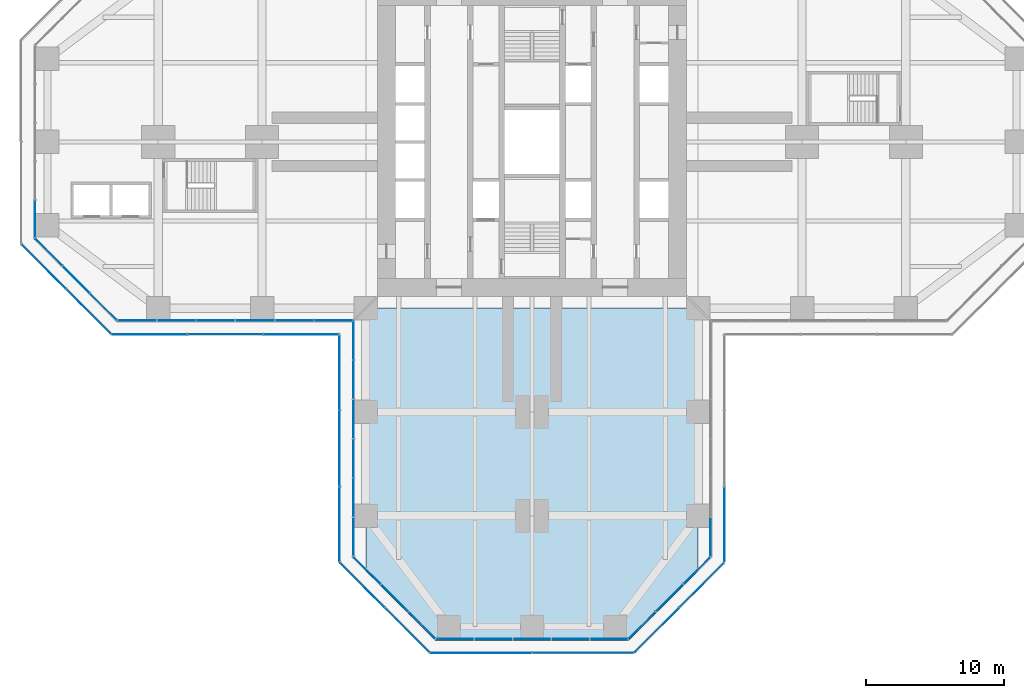
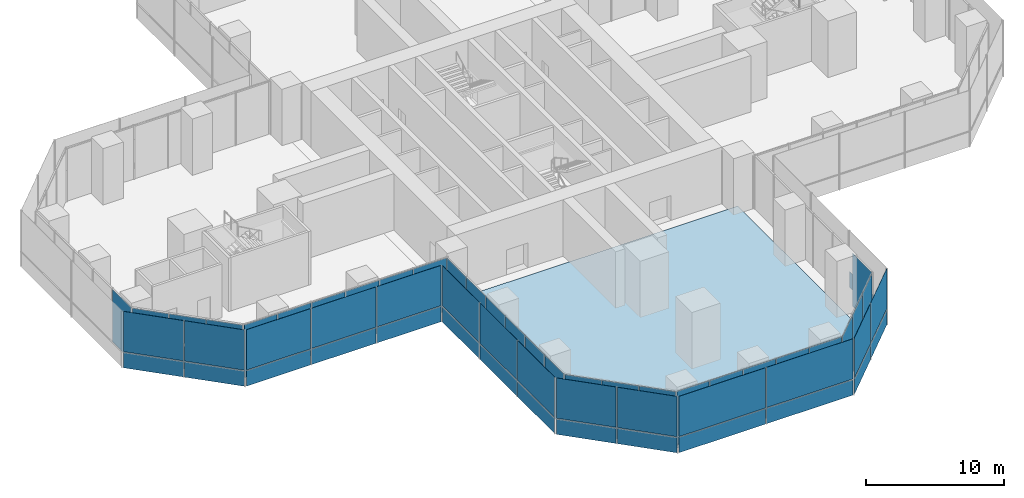
# One storey, part 13 of 23: 57 plates, 1 slab, 15 elements without a shape of their own.
"""IFC4 building model written with IfcOpenShell, lengths in metres."""

from ifc_helpers import new_model, si_unit, direction, frame, origin, origin_2d, place, context, subcontext, project, spatial, polyline, rectangle, outline, extrude, material, layer, layer_set, type_object, element, aggregate, save


model = new_model("IFC4")

# Units and contexts
model_context = context("Model", 3, precision=1e-05, world=origin(), true_north=direction((0.0, 1.0)))
body_context = subcontext(model_context, "Body", "Model", "MODEL_VIEW")
ifc_project = project(units=[si_unit("LENGTHUNIT", "METRE"), si_unit("AREAUNIT", "SQUARE_METRE"), si_unit("VOLUMEUNIT", "CUBIC_METRE"), si_unit("PLANEANGLEUNIT", "RADIAN"), si_unit("MASSUNIT", "GRAM", prefix="KILO")], contexts=[model_context])

# Site, building, storey
site_placement = place(None, origin())
site = spatial("IfcSite", under=ifc_project, at=site_placement, CompositionType="ELEMENT")
building_placement = place(site_placement, origin())
building = spatial("IfcBuilding", under=site, at=building_placement, Name="Mizan Broadcast Tower", CompositionType="ELEMENT")
storey_placement = place(building_placement, frame((0.0, 0.0, 28.0)))
storey = spatial("IfcBuildingStorey", under=building, at=storey_placement, Name="L04", CompositionType="ELEMENT", Elevation=28.0)

# Curtain wall, plates
ifc_material_1 = material(Name="Aluminium framed glazing", Category="aluminium")
curtain_wall_type_1 = type_object("IfcCurtainWallType", Name="OUTER SKIN", PredefinedType="USERDEFINED", material=ifc_material_1)
curtain_wall_1_placement = place(storey_placement, origin())
curtain_wall_1 = element("IfcCurtainWall", 1, at=curtain_wall_1_placement, inside=storey, type_object=curtain_wall_type_1, Name="Outer skin L04 W chamfer", ObjectType="OUTER SKIN", PredefinedType="USERDEFINED")
ifc_material_2 = material(Name="Laminated clear glass", Category="glass")
ifc_layer_1 = layer(ifc_material_2, 0.02001953125)
ifc_layer_set_1 = layer_set([ifc_layer_1], Name="Laminated clear glass")
plate_type_1 = type_object("IfcPlateType", Name="OUTER SKIN CLEAR GLASS", PredefinedType="CURTAIN_PANEL", material=ifc_layer_set_1)
plate_1_placement = place(storey_placement, frame((-35.254150390625, -9.018798828125, 0.0), z_axis=(0.0, 0.0, 1.0), x_axis=(0.707106781187, -0.707106781187, 0.0)))
plate_1 = element("IfcPlate", 2, at=plate_1_placement, type_object=plate_type_1, Name="Outer skin L04 W chamfer panel 1.1", PredefinedType="CURTAIN_PANEL", context=body_context, shape_type="SweptSolid", body=[
    extrude(rectangle(XDim=4.495361328125, YDim=0.02001953125, at=origin_2d()), origin(), (0.0, 0.0, 1.0), 1.3701171875),
])
plate_2_placement = place(storey_placement, frame((-35.254150390625, -9.018798828125, 1.43017578125), z_axis=(0.0, 0.0, 1.0), x_axis=(0.707106781187, -0.707106781187, 0.0)))
plate_2 = element("IfcPlate", 3, at=plate_2_placement, type_object=plate_type_1, Name="Outer skin L04 W chamfer panel 1.2", PredefinedType="CURTAIN_PANEL", context=body_context, shape_type="SweptSolid", body=[
    extrude(rectangle(XDim=4.495361328125, YDim=0.02001953125, at=origin_2d()), origin(), (0.0, 0.0, 1.0), 3.570068359375),
])

curtain_wall_2_placement = place(storey_placement, origin())
curtain_wall_2 = element("IfcCurtainWall", 4, at=curtain_wall_2_placement, inside=storey, type_object=curtain_wall_type_1, Name="Outer skin L04 W side", ObjectType="OUTER SKIN", PredefinedType="USERDEFINED")
plate_3_placement = place(storey_placement, frame((-27.607421875, -13.89990234375, 0.0), z_axis=(0.0, 0.0, 1.0), x_axis=(1.0, 0.0, 0.0)))
plate_3 = element("IfcPlate", 5, at=plate_3_placement, type_object=plate_type_1, Name="Outer skin L04 W side panel 1.1", PredefinedType="CURTAIN_PANEL", context=body_context, shape_type="SweptSolid", body=[
    extrude(rectangle(XDim=5.370849609375, YDim=0.02001953125, at=origin_2d()), origin(), (0.0, 0.0, 1.0), 1.3701171875),
])
plate_4_placement = place(storey_placement, frame((-27.607421875, -13.89990234375, 1.43017578125), z_axis=(0.0, 0.0, 1.0), x_axis=(1.0, 0.0, 0.0)))
plate_4 = element("IfcPlate", 6, at=plate_4_placement, type_object=plate_type_1, Name="Outer skin L04 W side panel 1.2", PredefinedType="CURTAIN_PANEL", context=body_context, shape_type="SweptSolid", body=[
    extrude(rectangle(XDim=5.370849609375, YDim=0.02001953125, at=origin_2d()), origin(), (0.0, 0.0, 1.0), 3.570068359375),
])
plate_5_placement = place(storey_placement, frame((-16.66552734375, -13.89990234375, 0.0), z_axis=(0.0, 0.0, 1.0), x_axis=(1.0, 0.0, 0.0)))
plate_5 = element("IfcPlate", 7, at=plate_5_placement, type_object=plate_type_1, Name="Outer skin L04 W side panel 3.1", PredefinedType="CURTAIN_PANEL", context=body_context, shape_type="SweptSolid", body=[
    extrude(rectangle(XDim=5.370849609375, YDim=0.02001953125, at=origin_2d()), origin(), (0.0, 0.0, 1.0), 1.3701171875),
])
plate_6_placement = place(storey_placement, frame((-16.66552734375, -13.89990234375, 1.43017578125), z_axis=(0.0, 0.0, 1.0), x_axis=(1.0, 0.0, 0.0)))
plate_6 = element("IfcPlate", 8, at=plate_6_placement, type_object=plate_type_1, Name="Outer skin L04 W side panel 3.2", PredefinedType="CURTAIN_PANEL", context=body_context, shape_type="SweptSolid", body=[
    extrude(rectangle(XDim=5.370849609375, YDim=0.02001953125, at=origin_2d()), origin(), (0.0, 0.0, 1.0), 3.570068359375),
])

curtain_wall_3_placement = place(storey_placement, origin())
curtain_wall_3 = element("IfcCurtainWall", 9, at=curtain_wall_3_placement, inside=storey, type_object=curtain_wall_type_1, Name="Outer skin L04 S side", ObjectType="OUTER SKIN", PredefinedType="USERDEFINED")
plate_7_placement = place(storey_placement, frame((-13.89990234375, -16.66552734375, 0.0), z_axis=(0.0, 0.0, 1.0), x_axis=(0.0, -1.0, 0.0)))
plate_7 = element("IfcPlate", 10, at=plate_7_placement, type_object=plate_type_1, Name="Outer skin L04 S side panel 1.1", PredefinedType="CURTAIN_PANEL", context=body_context, shape_type="SweptSolid", body=[
    extrude(rectangle(XDim=5.370849609375, YDim=0.02001953125, at=origin_2d()), origin(), (0.0, 0.0, 1.0), 1.3701171875),
])
plate_8_placement = place(storey_placement, frame((-13.89990234375, -16.66552734375, 1.43017578125), z_axis=(0.0, 0.0, 1.0), x_axis=(0.0, -1.0, 0.0)))
plate_8 = element("IfcPlate", 11, at=plate_8_placement, type_object=plate_type_1, Name="Outer skin L04 S side panel 1.2", PredefinedType="CURTAIN_PANEL", context=body_context, shape_type="SweptSolid", body=[
    extrude(rectangle(XDim=5.370849609375, YDim=0.02001953125, at=origin_2d()), origin(), (0.0, 0.0, 1.0), 3.570068359375),
])
plate_9_placement = place(storey_placement, frame((-13.89990234375, -27.607421875, 0.0), z_axis=(0.0, 0.0, 1.0), x_axis=(0.0, -1.0, 0.0)))
plate_9 = element("IfcPlate", 12, at=plate_9_placement, type_object=plate_type_1, Name="Outer skin L04 S side panel 3.1", PredefinedType="CURTAIN_PANEL", context=body_context, shape_type="SweptSolid", body=[
    extrude(rectangle(XDim=5.370849609375, YDim=0.02001953125, at=origin_2d()), origin(), (0.0, 0.0, 1.0), 1.3701171875),
])
plate_10_placement = place(storey_placement, frame((-13.89990234375, -27.607421875, 1.43017578125), z_axis=(0.0, 0.0, 1.0), x_axis=(0.0, -1.0, 0.0)))
plate_10 = element("IfcPlate", 13, at=plate_10_placement, type_object=plate_type_1, Name="Outer skin L04 S side panel 3.2", PredefinedType="CURTAIN_PANEL", context=body_context, shape_type="SweptSolid", body=[
    extrude(rectangle(XDim=5.370849609375, YDim=0.02001953125, at=origin_2d()), origin(), (0.0, 0.0, 1.0), 3.570068359375),
])

curtain_wall_4_placement = place(storey_placement, origin())
curtain_wall_4 = element("IfcCurtainWall", 14, at=curtain_wall_4_placement, inside=storey, type_object=curtain_wall_type_1, Name="Outer skin L04 S chamfer", ObjectType="OUTER SKIN", PredefinedType="USERDEFINED")
plate_11_placement = place(storey_placement, frame((-12.254150390625, -32.018798828125, 0.0), z_axis=(0.0, 0.0, 1.0), x_axis=(0.707106781187, -0.707106781187, 0.0)))
plate_11 = element("IfcPlate", 15, at=plate_11_placement, type_object=plate_type_1, Name="Outer skin L04 S chamfer panel 1.1", PredefinedType="CURTAIN_PANEL", context=body_context, shape_type="SweptSolid", body=[
    extrude(rectangle(XDim=4.495361328125, YDim=0.02001953125, at=origin_2d()), origin(), (0.0, 0.0, 1.0), 1.3701171875),
])
plate_12_placement = place(storey_placement, frame((-12.254150390625, -32.018798828125, 1.43017578125), z_axis=(0.0, 0.0, 1.0), x_axis=(0.707106781187, -0.707106781187, 0.0)))
plate_12 = element("IfcPlate", 16, at=plate_12_placement, type_object=plate_type_1, Name="Outer skin L04 S chamfer panel 1.2", PredefinedType="CURTAIN_PANEL", context=body_context, shape_type="SweptSolid", body=[
    extrude(rectangle(XDim=4.495361328125, YDim=0.02001953125, at=origin_2d()), origin(), (0.0, 0.0, 1.0), 3.570068359375),
])

curtain_wall_5_placement = place(storey_placement, origin())
curtain_wall_5 = element("IfcCurtainWall", 17, at=curtain_wall_5_placement, inside=storey, type_object=curtain_wall_type_1, Name="Outer skin L04 S end", ObjectType="OUTER SKIN", PredefinedType="USERDEFINED")
plate_13_placement = place(storey_placement, frame((-3.66650390625, -36.89990234375, 0.0), z_axis=(0.0, 0.0, 1.0), x_axis=(1.0, 0.0, 0.0)))
plate_13 = element("IfcPlate", 18, at=plate_13_placement, type_object=plate_type_1, Name="Outer skin L04 S end panel 1.1", PredefinedType="CURTAIN_PANEL", context=body_context, shape_type="SweptSolid", body=[
    extrude(rectangle(XDim=7.252685546875, YDim=0.02001953125, at=origin_2d()), origin(), (0.0, 0.0, 1.0), 1.3701171875),
])
plate_14_placement = place(storey_placement, frame((-3.66650390625, -36.89990234375, 1.43017578125), z_axis=(0.0, 0.0, 1.0), x_axis=(1.0, 0.0, 0.0)))
plate_14 = element("IfcPlate", 19, at=plate_14_placement, type_object=plate_type_1, Name="Outer skin L04 S end panel 1.2", PredefinedType="CURTAIN_PANEL", context=body_context, shape_type="SweptSolid", body=[
    extrude(rectangle(XDim=7.252685546875, YDim=0.02001953125, at=origin_2d()), origin(), (0.0, 0.0, 1.0), 3.570068359375),
])

curtain_wall_6_placement = place(storey_placement, origin())
curtain_wall_6 = element("IfcCurtainWall", 20, at=curtain_wall_6_placement, inside=storey, type_object=curtain_wall_type_1, Name="Outer skin L04 S chamfer", ObjectType="OUTER SKIN", PredefinedType="USERDEFINED")
plate_15_placement = place(storey_placement, frame((9.018798828125, -35.254150390625, 0.0), z_axis=(0.0, 0.0, 1.0), x_axis=(0.707106781187, 0.707106781187, 0.0)))
plate_15 = element("IfcPlate", 21, at=plate_15_placement, type_object=plate_type_1, Name="Outer skin L04 S chamfer panel 1.1", PredefinedType="CURTAIN_PANEL", context=body_context, shape_type="SweptSolid", body=[
    extrude(rectangle(XDim=4.495361328125, YDim=0.02001953125, at=origin_2d()), origin(), (0.0, 0.0, 1.0), 1.3701171875),
])
plate_16_placement = place(storey_placement, frame((9.018798828125, -35.254150390625, 1.43017578125), z_axis=(0.0, 0.0, 1.0), x_axis=(0.707106781187, 0.707106781187, 0.0)))
plate_16 = element("IfcPlate", 22, at=plate_16_placement, type_object=plate_type_1, Name="Outer skin L04 S chamfer panel 1.2", PredefinedType="CURTAIN_PANEL", context=body_context, shape_type="SweptSolid", body=[
    extrude(rectangle(XDim=4.495361328125, YDim=0.02001953125, at=origin_2d()), origin(), (0.0, 0.0, 1.0), 3.570068359375),
])

# Curtain wall, plate
curtain_wall_7_placement = place(storey_placement, origin())
curtain_wall_7 = element("IfcCurtainWall", 23, at=curtain_wall_7_placement, inside=storey, type_object=curtain_wall_type_1, Name="Outer skin L04 S side", ObjectType="OUTER SKIN", PredefinedType="USERDEFINED")
plate_17_placement = place(storey_placement, frame((13.89990234375, -27.607421875, 0.0), z_axis=(0.0, 0.0, 1.0), x_axis=(0.0, 1.0, 0.0)))
plate_17 = element("IfcPlate", 24, at=plate_17_placement, type_object=plate_type_1, Name="Outer skin L04 S side panel 1.1", PredefinedType="CURTAIN_PANEL", context=body_context, shape_type="SweptSolid", body=[
    extrude(rectangle(XDim=5.370849609375, YDim=0.02001953125, at=origin_2d()), origin(), (0.0, 0.0, 1.0), 1.3701171875),
])
aggregate(curtain_wall_7, [plate_17])

# Plate
ifc_material_3 = material(Name="Perforated aluminium, pale anodised", Category="aluminium")
ifc_layer_2 = layer(ifc_material_3, 0.011962890625)
ifc_layer_set_2 = layer_set([ifc_layer_2], Name="Perforated aluminium, pale anodised")
plate_type_2 = type_object("IfcPlateType", Name="OUTER SKIN PERFORATED SCREEN", PredefinedType="USERDEFINED", material=ifc_layer_set_2)
plate_18_placement = place(storey_placement, frame((-32.018798828125, -12.254150390625, 0.0), z_axis=(0.0, 0.0, 1.0), x_axis=(0.707106781187, -0.707106781187, 0.0)))
plate_18 = element("IfcPlate", 25, at=plate_18_placement, type_object=plate_type_2, Name="Outer skin L04 W chamfer panel 2.1", ObjectType="SCREEN", PredefinedType="USERDEFINED", context=body_context, shape_type="SweptSolid", body=[
    extrude(rectangle(XDim=4.495361328125, YDim=0.011962890625, at=origin_2d()), origin(), (0.0, 0.0, 1.0), 1.3701171875),
])

plate_19_placement = place(storey_placement, frame((-32.018798828125, -12.254150390625, 1.43017578125), z_axis=(0.0, 0.0, 1.0), x_axis=(0.707106781187, -0.707106781187, 0.0)))
plate_19 = element("IfcPlate", 26, at=plate_19_placement, type_object=plate_type_2, Name="Outer skin L04 W chamfer panel 2.2", ObjectType="SCREEN", PredefinedType="USERDEFINED", context=body_context, shape_type="SweptSolid", body=[
    extrude(rectangle(XDim=4.495361328125, YDim=0.011962890625, at=origin_2d()), origin(), (0.0, 0.0, 1.0), 3.570068359375),
])

aggregate(curtain_wall_1, [plate_1, plate_2, plate_18, plate_19])

plate_20_placement = place(storey_placement, frame((-22.136474609375, -13.89990234375, 0.0), z_axis=(0.0, 0.0, 1.0), x_axis=(1.0, 0.0, 0.0)))
plate_20 = element("IfcPlate", 27, at=plate_20_placement, type_object=plate_type_2, Name="Outer skin L04 W side panel 2.1", ObjectType="SCREEN", PredefinedType="USERDEFINED", context=body_context, shape_type="SweptSolid", body=[
    extrude(rectangle(XDim=5.410888671875, YDim=0.011962890625, at=origin_2d()), origin(), (0.0, 0.0, 1.0), 1.3701171875),
])

plate_21_placement = place(storey_placement, frame((-22.136474609375, -13.89990234375, 1.43017578125), z_axis=(0.0, 0.0, 1.0), x_axis=(1.0, 0.0, 0.0)))
plate_21 = element("IfcPlate", 28, at=plate_21_placement, type_object=plate_type_2, Name="Outer skin L04 W side panel 2.2", ObjectType="SCREEN", PredefinedType="USERDEFINED", context=body_context, shape_type="SweptSolid", body=[
    extrude(rectangle(XDim=5.410888671875, YDim=0.011962890625, at=origin_2d()), origin(), (0.0, 0.0, 1.0), 3.570068359375),
])

aggregate(curtain_wall_2, [plate_3, plate_4, plate_20, plate_21, plate_5, plate_6])

plate_22_placement = place(storey_placement, frame((-13.89990234375, -22.136474609375, 0.0), z_axis=(0.0, 0.0, 1.0), x_axis=(0.0, -1.0, 0.0)))
plate_22 = element("IfcPlate", 29, at=plate_22_placement, type_object=plate_type_2, Name="Outer skin L04 S side panel 2.1", ObjectType="SCREEN", PredefinedType="USERDEFINED", context=body_context, shape_type="SweptSolid", body=[
    extrude(rectangle(XDim=5.410888671875, YDim=0.011962890625, at=origin_2d()), origin(), (0.0, 0.0, 1.0), 1.3701171875),
])

plate_23_placement = place(storey_placement, frame((-13.89990234375, -22.136474609375, 1.43017578125), z_axis=(0.0, 0.0, 1.0), x_axis=(0.0, -1.0, 0.0)))
plate_23 = element("IfcPlate", 30, at=plate_23_placement, type_object=plate_type_2, Name="Outer skin L04 S side panel 2.2", ObjectType="SCREEN", PredefinedType="USERDEFINED", context=body_context, shape_type="SweptSolid", body=[
    extrude(rectangle(XDim=5.410888671875, YDim=0.011962890625, at=origin_2d()), origin(), (0.0, 0.0, 1.0), 3.570068359375),
])

aggregate(curtain_wall_3, [plate_7, plate_8, plate_22, plate_23, plate_9, plate_10])

plate_24_placement = place(storey_placement, frame((-9.018798828125, -35.254150390625, 0.0), z_axis=(0.0, 0.0, 1.0), x_axis=(0.707106781187, -0.707106781187, 0.0)))
plate_24 = element("IfcPlate", 31, at=plate_24_placement, type_object=plate_type_2, Name="Outer skin L04 S chamfer panel 2.1", ObjectType="SCREEN", PredefinedType="USERDEFINED", context=body_context, shape_type="SweptSolid", body=[
    extrude(rectangle(XDim=4.495361328125, YDim=0.011962890625, at=origin_2d()), origin(), (0.0, 0.0, 1.0), 1.3701171875),
])

plate_25_placement = place(storey_placement, frame((-9.018798828125, -35.254150390625, 1.43017578125), z_axis=(0.0, 0.0, 1.0), x_axis=(0.707106781187, -0.707106781187, 0.0)))
plate_25 = element("IfcPlate", 32, at=plate_25_placement, type_object=plate_type_2, Name="Outer skin L04 S chamfer panel 2.2", ObjectType="SCREEN", PredefinedType="USERDEFINED", context=body_context, shape_type="SweptSolid", body=[
    extrude(rectangle(XDim=4.495361328125, YDim=0.011962890625, at=origin_2d()), origin(), (0.0, 0.0, 1.0), 3.570068359375),
])

aggregate(curtain_wall_4, [plate_11, plate_12, plate_24, plate_25])

plate_26_placement = place(storey_placement, frame((3.66650390625, -36.89990234375, 0.0), z_axis=(0.0, 0.0, 1.0), x_axis=(1.0, 0.0, 0.0)))
plate_26 = element("IfcPlate", 33, at=plate_26_placement, type_object=plate_type_2, Name="Outer skin L04 S end panel 2.1", ObjectType="SCREEN", PredefinedType="USERDEFINED", context=body_context, shape_type="SweptSolid", body=[
    extrude(rectangle(XDim=7.252685546875, YDim=0.011962890625, at=origin_2d()), origin(), (0.0, 0.0, 1.0), 1.3701171875),
])

plate_27_placement = place(storey_placement, frame((3.66650390625, -36.89990234375, 1.43017578125), z_axis=(0.0, 0.0, 1.0), x_axis=(1.0, 0.0, 0.0)))
plate_27 = element("IfcPlate", 34, at=plate_27_placement, type_object=plate_type_2, Name="Outer skin L04 S end panel 2.2", ObjectType="SCREEN", PredefinedType="USERDEFINED", context=body_context, shape_type="SweptSolid", body=[
    extrude(rectangle(XDim=7.252685546875, YDim=0.011962890625, at=origin_2d()), origin(), (0.0, 0.0, 1.0), 3.570068359375),
])

aggregate(curtain_wall_5, [plate_13, plate_14, plate_26, plate_27])

plate_28_placement = place(storey_placement, frame((12.254150390625, -32.018798828125, 0.0), z_axis=(0.0, 0.0, 1.0), x_axis=(0.707106781187, 0.707106781187, 0.0)))
plate_28 = element("IfcPlate", 35, at=plate_28_placement, type_object=plate_type_2, Name="Outer skin L04 S chamfer panel 2.1", ObjectType="SCREEN", PredefinedType="USERDEFINED", context=body_context, shape_type="SweptSolid", body=[
    extrude(rectangle(XDim=4.495361328125, YDim=0.011962890625, at=origin_2d()), origin(), (0.0, 0.0, 1.0), 1.3701171875),
])

plate_29_placement = place(storey_placement, frame((12.254150390625, -32.018798828125, 1.43017578125), z_axis=(0.0, 0.0, 1.0), x_axis=(0.707106781187, 0.707106781187, 0.0)))
plate_29 = element("IfcPlate", 36, at=plate_29_placement, type_object=plate_type_2, Name="Outer skin L04 S chamfer panel 2.2", ObjectType="SCREEN", PredefinedType="USERDEFINED", context=body_context, shape_type="SweptSolid", body=[
    extrude(rectangle(XDim=4.495361328125, YDim=0.011962890625, at=origin_2d()), origin(), (0.0, 0.0, 1.0), 3.570068359375),
])

aggregate(curtain_wall_6, [plate_15, plate_16, plate_28, plate_29])

# Curtain wall, plate
ifc_material_4 = material(Name="Aluminium framed glazing", Category="aluminium")
curtain_wall_type_2 = type_object("IfcCurtainWallType", Name="PODIUM CURTAIN WALL", PredefinedType="USERDEFINED", material=ifc_material_4)
curtain_wall_8_placement = place(storey_placement, origin())
curtain_wall_8 = element("IfcCurtainWall", 37, at=curtain_wall_8_placement, inside=storey, type_object=curtain_wall_type_2, Name="Podium curtain wall L04 W end", ObjectType="PODIUM CURTAIN WALL", PredefinedType="USERDEFINED")
ifc_material_5 = material(Name="Double glazing, clear laminated", Category="glass")
ifc_layer_3 = layer(ifc_material_5, 0.031982421875)
ifc_layer_set_3 = layer_set([ifc_layer_3], Name="Double glazing, clear laminated")
plate_type_3 = type_object("IfcPlateType", Name="PODIUM GLAZING UNIT", PredefinedType="CURTAIN_PANEL", material=ifc_layer_set_3)
plate_30_placement = place(storey_placement, frame((-35.89990234375, -5.5517578125, 0.0), z_axis=(0.0, 0.0, 1.0), x_axis=(0.0, -1.0, 0.0)))
plate_30 = element("IfcPlate", 38, at=plate_30_placement, type_object=plate_type_3, Name="Podium curtain wall L04 W end panel 5.1", PredefinedType="CURTAIN_PANEL", context=body_context, shape_type="SweptSolid", body=[
    extrude(rectangle(XDim=2.693359375, YDim=0.031982421875, at=origin_2d()), origin(), (0.0, 0.0, 1.0), 4.68994140625),
])
aggregate(curtain_wall_8, [plate_30])

# Curtain wall, plates
curtain_wall_9_placement = place(storey_placement, origin())
curtain_wall_9 = element("IfcCurtainWall", 39, at=curtain_wall_9_placement, inside=storey, type_object=curtain_wall_type_2, Name="Podium curtain wall L04 W chamfer", ObjectType="PODIUM CURTAIN WALL", PredefinedType="USERDEFINED")
plate_31_placement = place(storey_placement, frame((-34.899169921875, -7.95947265625, 0.0), z_axis=(0.0, 0.0, 1.0), x_axis=(0.707106781187, -0.707106781187, 0.0)))
plate_31 = element("IfcPlate", 40, at=plate_31_placement, type_object=plate_type_3, Name="Podium curtain wall L04 W chamfer panel 1.1", PredefinedType="CURTAIN_PANEL", context=body_context, shape_type="SweptSolid", body=[
    extrude(rectangle(XDim=2.710693359375, YDim=0.031982421875, at=origin_2d()), origin(), (0.0, 0.0, 1.0), 4.68994140625),
])
plate_32_placement = place(storey_placement, frame((-32.92919921875, -9.92919921875, 0.0), z_axis=(0.0, 0.0, 1.0), x_axis=(0.707106781187, -0.707106781187, 0.0)))
plate_32 = element("IfcPlate", 41, at=plate_32_placement, type_object=plate_type_3, Name="Podium curtain wall L04 W chamfer panel 2.1", PredefinedType="CURTAIN_PANEL", context=body_context, shape_type="SweptSolid", body=[
    extrude(rectangle(XDim=2.74072265625, YDim=0.031982421875, at=origin_2d()), origin(), (0.0, 0.0, 1.0), 4.68994140625),
])
plate_33_placement = place(storey_placement, frame((-30.95947265625, -11.899169921875, 0.0), z_axis=(0.0, 0.0, 1.0), x_axis=(0.707106781187, -0.707106781187, 0.0)))
plate_33 = element("IfcPlate", 42, at=plate_33_placement, type_object=plate_type_3, Name="Podium curtain wall L04 W chamfer panel 3.1", PredefinedType="CURTAIN_PANEL", context=body_context, shape_type="SweptSolid", body=[
    extrude(rectangle(XDim=2.710693359375, YDim=0.031982421875, at=origin_2d()), origin(), (0.0, 0.0, 1.0), 4.68994140625),
])
aggregate(curtain_wall_9, [plate_31, plate_32, plate_33])

curtain_wall_10_placement = place(storey_placement, origin())
curtain_wall_10 = element("IfcCurtainWall", 43, at=curtain_wall_10_placement, inside=storey, type_object=curtain_wall_type_2, Name="Podium curtain wall L04 W side", ObjectType="PODIUM CURTAIN WALL", PredefinedType="USERDEFINED")
plate_34_placement = place(storey_placement, frame((-28.52197265625, -12.89990234375, 0.0), z_axis=(0.0, 0.0, 1.0), x_axis=(1.0, 0.0, 0.0)))
plate_34 = element("IfcPlate", 44, at=plate_34_placement, type_object=plate_type_3, Name="Podium curtain wall L04 W side panel 1.1", PredefinedType="CURTAIN_PANEL", context=body_context, shape_type="SweptSolid", body=[
    extrude(rectangle(XDim=2.753173828125, YDim=0.031982421875, at=origin_2d()), origin(), (0.0, 0.0, 1.0), 4.68994140625),
])
plate_35_placement = place(storey_placement, frame((-25.69384765625, -12.89990234375, 0.0), z_axis=(0.0, 0.0, 1.0), x_axis=(1.0, 0.0, 0.0)))
plate_35 = element("IfcPlate", 45, at=plate_35_placement, type_object=plate_type_3, Name="Podium curtain wall L04 W side panel 2.1", PredefinedType="CURTAIN_PANEL", context=body_context, shape_type="SweptSolid", body=[
    extrude(rectangle(XDim=2.783203125, YDim=0.031982421875, at=origin_2d()), origin(), (0.0, 0.0, 1.0), 4.68994140625),
])
plate_36_placement = place(storey_placement, frame((-22.850830078125, -12.89990234375, 0.0), z_axis=(0.0, 0.0, 1.0), x_axis=(1.0, 0.0, 0.0)))
plate_36 = element("IfcPlate", 46, at=plate_36_placement, type_object=plate_type_3, Name="Podium curtain wall L04 W side panel 3.1", PredefinedType="CURTAIN_PANEL", context=body_context, shape_type="SweptSolid", body=[
    extrude(rectangle(XDim=2.783203125, YDim=0.031982421875, at=origin_2d()), origin(), (0.0, 0.0, 1.0), 4.68994140625),
])
plate_37_placement = place(storey_placement, frame((-20.0078125, -12.89990234375, 0.0), z_axis=(0.0, 0.0, 1.0), x_axis=(1.0, 0.0, 0.0)))
plate_37 = element("IfcPlate", 47, at=plate_37_placement, type_object=plate_type_3, Name="Podium curtain wall L04 W side panel 4.1", PredefinedType="CURTAIN_PANEL", context=body_context, shape_type="SweptSolid", body=[
    extrude(rectangle(XDim=2.783203125, YDim=0.031982421875, at=origin_2d()), origin(), (0.0, 0.0, 1.0), 4.68994140625),
])
plate_38_placement = place(storey_placement, frame((-17.16455078125, -12.89990234375, 0.0), z_axis=(0.0, 0.0, 1.0), x_axis=(1.0, 0.0, 0.0)))
plate_38 = element("IfcPlate", 48, at=plate_38_placement, type_object=plate_type_3, Name="Podium curtain wall L04 W side panel 5.1", PredefinedType="CURTAIN_PANEL", context=body_context, shape_type="SweptSolid", body=[
    extrude(rectangle(XDim=2.783203125, YDim=0.031982421875, at=origin_2d()), origin(), (0.0, 0.0, 1.0), 4.68994140625),
])
plate_39_placement = place(storey_placement, frame((-14.336669921875, -12.89990234375, 0.0), z_axis=(0.0, 0.0, 1.0), x_axis=(1.0, 0.0, 0.0)))
plate_39 = element("IfcPlate", 49, at=plate_39_placement, type_object=plate_type_3, Name="Podium curtain wall L04 W side panel 6.1", PredefinedType="CURTAIN_PANEL", context=body_context, shape_type="SweptSolid", body=[
    extrude(rectangle(XDim=2.753173828125, YDim=0.031982421875, at=origin_2d()), origin(), (0.0, 0.0, 1.0), 4.68994140625),
])
aggregate(curtain_wall_10, [plate_34, plate_35, plate_36, plate_37, plate_38, plate_39])

curtain_wall_11_placement = place(storey_placement, origin())
curtain_wall_11 = element("IfcCurtainWall", 50, at=curtain_wall_11_placement, inside=storey, type_object=curtain_wall_type_2, Name="Podium curtain wall L04 S side", ObjectType="PODIUM CURTAIN WALL", PredefinedType="USERDEFINED")
plate_40_placement = place(storey_placement, frame((-12.89990234375, -14.336669921875, 0.0), z_axis=(0.0, 0.0, 1.0), x_axis=(0.0, -1.0, 0.0)))
plate_40 = element("IfcPlate", 51, at=plate_40_placement, type_object=plate_type_3, Name="Podium curtain wall L04 S side panel 1.1", PredefinedType="CURTAIN_PANEL", context=body_context, shape_type="SweptSolid", body=[
    extrude(rectangle(XDim=2.753173828125, YDim=0.031982421875, at=origin_2d()), origin(), (0.0, 0.0, 1.0), 4.68994140625),
])
plate_41_placement = place(storey_placement, frame((-12.89990234375, -17.16455078125, 0.0), z_axis=(0.0, 0.0, 1.0), x_axis=(0.0, -1.0, 0.0)))
plate_41 = element("IfcPlate", 52, at=plate_41_placement, type_object=plate_type_3, Name="Podium curtain wall L04 S side panel 2.1", PredefinedType="CURTAIN_PANEL", context=body_context, shape_type="SweptSolid", body=[
    extrude(rectangle(XDim=2.783203125, YDim=0.031982421875, at=origin_2d()), origin(), (0.0, 0.0, 1.0), 4.68994140625),
])
plate_42_placement = place(storey_placement, frame((-12.89990234375, -20.0078125, 0.0), z_axis=(0.0, 0.0, 1.0), x_axis=(0.0, -1.0, 0.0)))
plate_42 = element("IfcPlate", 53, at=plate_42_placement, type_object=plate_type_3, Name="Podium curtain wall L04 S side panel 3.1", PredefinedType="CURTAIN_PANEL", context=body_context, shape_type="SweptSolid", body=[
    extrude(rectangle(XDim=2.783203125, YDim=0.031982421875, at=origin_2d()), origin(), (0.0, 0.0, 1.0), 4.68994140625),
])
plate_43_placement = place(storey_placement, frame((-12.89990234375, -22.850830078125, 0.0), z_axis=(0.0, 0.0, 1.0), x_axis=(0.0, -1.0, 0.0)))
plate_43 = element("IfcPlate", 54, at=plate_43_placement, type_object=plate_type_3, Name="Podium curtain wall L04 S side panel 4.1", PredefinedType="CURTAIN_PANEL", context=body_context, shape_type="SweptSolid", body=[
    extrude(rectangle(XDim=2.783203125, YDim=0.031982421875, at=origin_2d()), origin(), (0.0, 0.0, 1.0), 4.68994140625),
])
plate_44_placement = place(storey_placement, frame((-12.89990234375, -25.69384765625, 0.0), z_axis=(0.0, 0.0, 1.0), x_axis=(0.0, -1.0, 0.0)))
plate_44 = element("IfcPlate", 55, at=plate_44_placement, type_object=plate_type_3, Name="Podium curtain wall L04 S side panel 5.1", PredefinedType="CURTAIN_PANEL", context=body_context, shape_type="SweptSolid", body=[
    extrude(rectangle(XDim=2.783203125, YDim=0.031982421875, at=origin_2d()), origin(), (0.0, 0.0, 1.0), 4.68994140625),
])
plate_45_placement = place(storey_placement, frame((-12.89990234375, -28.52197265625, 0.0), z_axis=(0.0, 0.0, 1.0), x_axis=(0.0, -1.0, 0.0)))
plate_45 = element("IfcPlate", 56, at=plate_45_placement, type_object=plate_type_3, Name="Podium curtain wall L04 S side panel 6.1", PredefinedType="CURTAIN_PANEL", context=body_context, shape_type="SweptSolid", body=[
    extrude(rectangle(XDim=2.753173828125, YDim=0.031982421875, at=origin_2d()), origin(), (0.0, 0.0, 1.0), 4.68994140625),
])
aggregate(curtain_wall_11, [plate_40, plate_41, plate_42, plate_43, plate_44, plate_45])

curtain_wall_12_placement = place(storey_placement, origin())
curtain_wall_12 = element("IfcCurtainWall", 57, at=curtain_wall_12_placement, inside=storey, type_object=curtain_wall_type_2, Name="Podium curtain wall L04 S chamfer", ObjectType="PODIUM CURTAIN WALL", PredefinedType="USERDEFINED")
plate_46_placement = place(storey_placement, frame((-11.899169921875, -30.95947265625, 0.0), z_axis=(0.0, 0.0, 1.0), x_axis=(0.707106781187, -0.707106781187, 0.0)))
plate_46 = element("IfcPlate", 58, at=plate_46_placement, type_object=plate_type_3, Name="Podium curtain wall L04 S chamfer panel 1.1", PredefinedType="CURTAIN_PANEL", context=body_context, shape_type="SweptSolid", body=[
    extrude(rectangle(XDim=2.710693359375, YDim=0.031982421875, at=origin_2d()), origin(), (0.0, 0.0, 1.0), 4.68994140625),
])
plate_47_placement = place(storey_placement, frame((-9.92919921875, -32.92919921875, 0.0), z_axis=(0.0, 0.0, 1.0), x_axis=(0.707106781187, -0.707106781187, 0.0)))
plate_47 = element("IfcPlate", 59, at=plate_47_placement, type_object=plate_type_3, Name="Podium curtain wall L04 S chamfer panel 2.1", PredefinedType="CURTAIN_PANEL", context=body_context, shape_type="SweptSolid", body=[
    extrude(rectangle(XDim=2.74072265625, YDim=0.031982421875, at=origin_2d()), origin(), (0.0, 0.0, 1.0), 4.68994140625),
])
plate_48_placement = place(storey_placement, frame((-7.95947265625, -34.899169921875, 0.0), z_axis=(0.0, 0.0, 1.0), x_axis=(0.707106781187, -0.707106781187, 0.0)))
plate_48 = element("IfcPlate", 60, at=plate_48_placement, type_object=plate_type_3, Name="Podium curtain wall L04 S chamfer panel 3.1", PredefinedType="CURTAIN_PANEL", context=body_context, shape_type="SweptSolid", body=[
    extrude(rectangle(XDim=2.710693359375, YDim=0.031982421875, at=origin_2d()), origin(), (0.0, 0.0, 1.0), 4.68994140625),
])
aggregate(curtain_wall_12, [plate_46, plate_47, plate_48])

curtain_wall_13_placement = place(storey_placement, origin())
curtain_wall_13 = element("IfcCurtainWall", 61, at=curtain_wall_13_placement, inside=storey, type_object=curtain_wall_type_2, Name="Podium curtain wall L04 S end", ObjectType="PODIUM CURTAIN WALL", PredefinedType="USERDEFINED")
plate_49_placement = place(storey_placement, frame((-5.5517578125, -35.89990234375, 0.0), z_axis=(0.0, 0.0, 1.0), x_axis=(1.0, 0.0, 0.0)))
plate_49 = element("IfcPlate", 62, at=plate_49_placement, type_object=plate_type_3, Name="Podium curtain wall L04 S end panel 1.1", PredefinedType="CURTAIN_PANEL", context=body_context, shape_type="SweptSolid", body=[
    extrude(rectangle(XDim=2.693359375, YDim=0.031982421875, at=origin_2d()), origin(), (0.0, 0.0, 1.0), 4.68994140625),
])
plate_50_placement = place(storey_placement, frame((-2.783447265625, -35.89990234375, 0.0), z_axis=(0.0, 0.0, 1.0), x_axis=(1.0, 0.0, 0.0)))
plate_50 = element("IfcPlate", 63, at=plate_50_placement, type_object=plate_type_3, Name="Podium curtain wall L04 S end panel 2.1", PredefinedType="CURTAIN_PANEL", context=body_context, shape_type="SweptSolid", body=[
    extrude(rectangle(XDim=2.723388671875, YDim=0.031982421875, at=origin_2d()), origin(), (0.0, 0.0, 1.0), 4.68994140625),
])
plate_51_placement = place(storey_placement, frame((0.0, -35.89990234375, 0.0), z_axis=(0.0, 0.0, 1.0), x_axis=(1.0, 0.0, 0.0)))
plate_51 = element("IfcPlate", 64, at=plate_51_placement, type_object=plate_type_3, Name="Podium curtain wall L04 S end panel 3.1", PredefinedType="CURTAIN_PANEL", context=body_context, shape_type="SweptSolid", body=[
    extrude(rectangle(XDim=2.723388671875, YDim=0.031982421875, at=origin_2d()), origin(), (0.0, 0.0, 1.0), 4.68994140625),
])
plate_52_placement = place(storey_placement, frame((2.783447265625, -35.89990234375, 0.0), z_axis=(0.0, 0.0, 1.0), x_axis=(1.0, 0.0, 0.0)))
plate_52 = element("IfcPlate", 65, at=plate_52_placement, type_object=plate_type_3, Name="Podium curtain wall L04 S end panel 4.1", PredefinedType="CURTAIN_PANEL", context=body_context, shape_type="SweptSolid", body=[
    extrude(rectangle(XDim=2.723388671875, YDim=0.031982421875, at=origin_2d()), origin(), (0.0, 0.0, 1.0), 4.68994140625),
])
plate_53_placement = place(storey_placement, frame((5.5517578125, -35.89990234375, 0.0), z_axis=(0.0, 0.0, 1.0), x_axis=(1.0, 0.0, 0.0)))
plate_53 = element("IfcPlate", 66, at=plate_53_placement, type_object=plate_type_3, Name="Podium curtain wall L04 S end panel 5.1", PredefinedType="CURTAIN_PANEL", context=body_context, shape_type="SweptSolid", body=[
    extrude(rectangle(XDim=2.693359375, YDim=0.031982421875, at=origin_2d()), origin(), (0.0, 0.0, 1.0), 4.68994140625),
])
aggregate(curtain_wall_13, [plate_49, plate_50, plate_51, plate_52, plate_53])

curtain_wall_14_placement = place(storey_placement, origin())
curtain_wall_14 = element("IfcCurtainWall", 67, at=curtain_wall_14_placement, inside=storey, type_object=curtain_wall_type_2, Name="Podium curtain wall L04 S chamfer", ObjectType="PODIUM CURTAIN WALL", PredefinedType="USERDEFINED")
plate_54_placement = place(storey_placement, frame((7.95947265625, -34.899169921875, 0.0), z_axis=(0.0, 0.0, 1.0), x_axis=(0.707106781187, 0.707106781187, 0.0)))
plate_54 = element("IfcPlate", 68, at=plate_54_placement, type_object=plate_type_3, Name="Podium curtain wall L04 S chamfer panel 1.1", PredefinedType="CURTAIN_PANEL", context=body_context, shape_type="SweptSolid", body=[
    extrude(rectangle(XDim=2.710693359375, YDim=0.031982421875, at=origin_2d()), origin(), (0.0, 0.0, 1.0), 4.68994140625),
])
plate_55_placement = place(storey_placement, frame((9.92919921875, -32.92919921875, 0.0), z_axis=(0.0, 0.0, 1.0), x_axis=(0.707106781187, 0.707106781187, 0.0)))
plate_55 = element("IfcPlate", 69, at=plate_55_placement, type_object=plate_type_3, Name="Podium curtain wall L04 S chamfer panel 2.1", PredefinedType="CURTAIN_PANEL", context=body_context, shape_type="SweptSolid", body=[
    extrude(rectangle(XDim=2.74072265625, YDim=0.031982421875, at=origin_2d()), origin(), (0.0, 0.0, 1.0), 4.68994140625),
])
plate_56_placement = place(storey_placement, frame((11.899169921875, -30.95947265625, 0.0), z_axis=(0.0, 0.0, 1.0), x_axis=(0.707106781187, 0.707106781187, 0.0)))
plate_56 = element("IfcPlate", 70, at=plate_56_placement, type_object=plate_type_3, Name="Podium curtain wall L04 S chamfer panel 3.1", PredefinedType="CURTAIN_PANEL", context=body_context, shape_type="SweptSolid", body=[
    extrude(rectangle(XDim=2.710693359375, YDim=0.031982421875, at=origin_2d()), origin(), (0.0, 0.0, 1.0), 4.68994140625),
])
aggregate(curtain_wall_14, [plate_54, plate_55, plate_56])

# Curtain wall, plate
curtain_wall_15_placement = place(storey_placement, origin())
curtain_wall_15 = element("IfcCurtainWall", 71, at=curtain_wall_15_placement, inside=storey, type_object=curtain_wall_type_2, Name="Podium curtain wall L04 S side", ObjectType="PODIUM CURTAIN WALL", PredefinedType="USERDEFINED")
plate_57_placement = place(storey_placement, frame((12.89990234375, -28.52197265625, 0.0), z_axis=(0.0, 0.0, 1.0), x_axis=(0.0, 1.0, 0.0)))
plate_57 = element("IfcPlate", 72, at=plate_57_placement, type_object=plate_type_3, Name="Podium curtain wall L04 S side panel 1.1", PredefinedType="CURTAIN_PANEL", context=body_context, shape_type="SweptSolid", body=[
    extrude(rectangle(XDim=2.753173828125, YDim=0.031982421875, at=origin_2d()), origin(), (0.0, 0.0, 1.0), 4.68994140625),
])
aggregate(curtain_wall_15, [plate_57])

# Slab
ifc_material_6 = material(Name="Concrete C40/50", Category="concrete")
ifc_layer_4 = layer(ifc_material_6, 0.25)
ifc_layer_set_4 = layer_set([ifc_layer_4], Name="Concrete C40/50")
slab_type = type_object("IfcSlabType", Name="RC FLAT SLAB 250", PredefinedType="FLOOR", material=ifc_layer_set_4)
slab_placement = place(storey_placement, frame((0.0, 0.0, -0.25)))
element("IfcSlab", 73, at=slab_placement, inside=storey, type_object=slab_type, Name="Floor slab L04 south arm", PredefinedType="FLOOR", context=body_context, shape_type="SweptSolid", body=[
    extrude(outline(polyline([(7.0, -36.0), (12.0, -31.0), (12.0, -12.0), (-12.0, -12.0), (-12.0, -31.0), (-7.0, -36.0), (7.0, -36.0)])), origin(), (0.0, 0.0, 1.0), 0.25),
])

save(model, "model.ifc")
